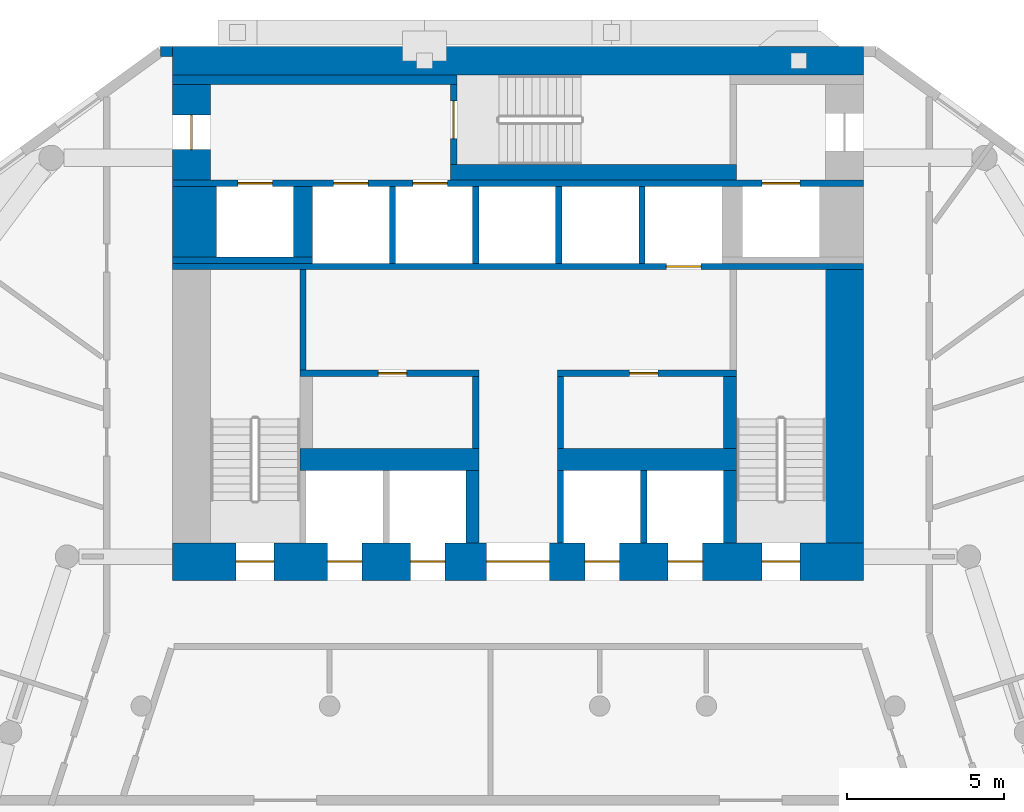
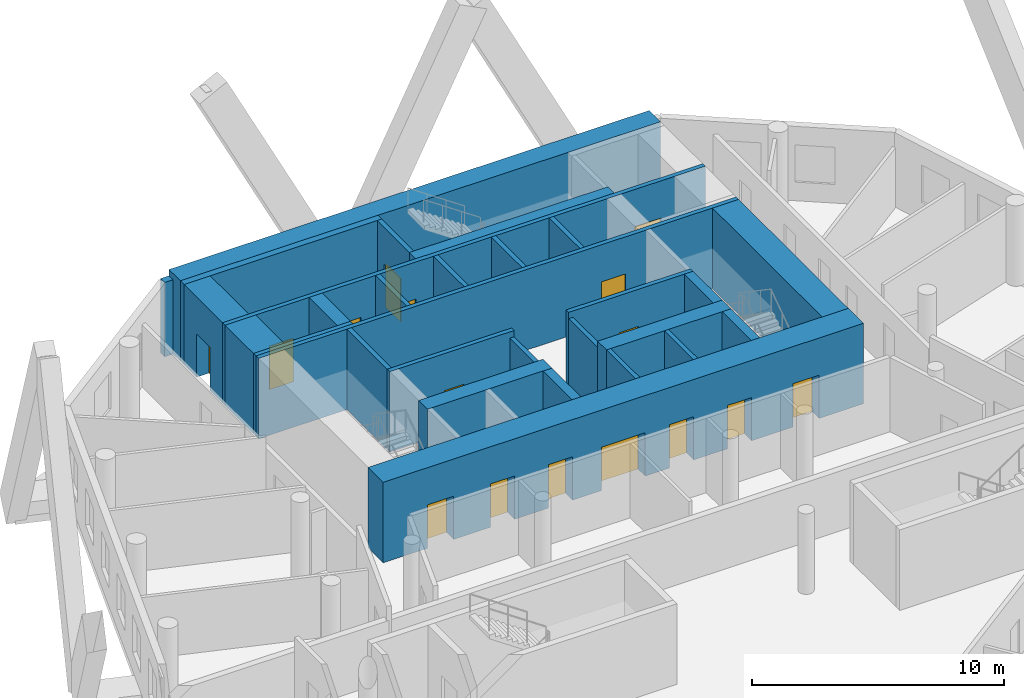
# One storey, part 6 of 10: 29 walls, 16 doors, 16 openings.
"""IFC4 building model written with IfcOpenShell, lengths in metres."""

from ifc_helpers import new_model, si_unit, direction, frame, frame_2d, origin, place, context, subcontext, project, spatial, rectangle, extrude, material, layer, layer_set, type_object, element, fill, save


model = new_model("IFC4")

# Units and contexts
model_context = context("Model", 3, precision=1e-05, world=origin(), true_north=direction((0.0, 1.0)))
body_context = subcontext(model_context, "Body", "Model", "MODEL_VIEW")
ifc_project = project(units=[si_unit("LENGTHUNIT", "METRE"), si_unit("AREAUNIT", "SQUARE_METRE"), si_unit("VOLUMEUNIT", "CUBIC_METRE"), si_unit("PLANEANGLEUNIT", "RADIAN"), si_unit("MASSUNIT", "GRAM", prefix="KILO")], contexts=[model_context])

# Site, building, storey
site_placement = place(None, origin())
site = spatial("IfcSite", under=ifc_project, at=site_placement, CompositionType="ELEMENT")
building_placement = place(site_placement, origin())
building = spatial("IfcBuilding", under=site, at=building_placement, Name="White Candle Pilgrim Tower", CompositionType="ELEMENT")
storey_placement = place(building_placement, frame((0.0, 0.0, 66.300048828125)))
storey = spatial("IfcBuildingStorey", under=building, at=storey_placement, Name="L13", CompositionType="ELEMENT", Elevation=66.300048828125)

# Wall, opening, door
ifc_material_1 = material(Name="Concrete C70/85", Category="concrete")
ifc_layer_1 = layer(ifc_material_1, 1.199951171875)
ifc_layer_set_1 = layer_set([ifc_layer_1], Name="Core wall 1200 mm Concrete C70/85")
wall_type_1 = type_object("IfcWallType", Name="Core wall 1200 mm Concrete C70/85", PredefinedType="SHEAR", material=ifc_layer_set_1)
wall_1_placement = place(storey_placement, frame((59.60009765625, 83.75, 0.0), z_axis=(0.0, 0.0, 1.0), x_axis=(0.0, 1.0, 0.0)))
wall_1 = element("IfcWall", 1, at=wall_1_placement, inside=storey, type_object=wall_type_1, Name="WL-L13-C42", PredefinedType="SHEAR", context=body_context, shape_type="SweptSolid", body=[
    extrude(rectangle(XDim=3.050048828125, YDim=1.199951171875, at=frame_2d((1.52490234375, 0.0))), origin(), (0.0, 0.0, 1.0), 3.89990234375),
])
opening_1_placement = place(wall_1_placement, frame((0.97509765625, 0.0, 0.0)))
opening_1 = element("IfcOpeningElement", 2, at=opening_1_placement, cuts=wall_1, Name="Opening T04-005", PredefinedType="OPENING", context=body_context, shape_type="SweptSolid", body=[
    extrude(rectangle(XDim=1.10009765625, YDim=2.10009765625, at=frame_2d((0.550048828125, 1.050048828125))), frame((0.0, 0.60986328125, 0.0), z_axis=(0.0, -1.0, 0.0), x_axis=(1.0, 0.0, 0.0)), (0.0, 0.0, 1.0), 1.219970703125),
])
ifc_material_2 = material(Name="Steel door leaf", Category="steel")
door_type_1 = type_object("IfcDoorType", Name="Fire door 1100 x 2100 EI 60", OperationType="NOTDEFINED", PredefinedType="DOOR", material=ifc_material_2)
door_1_placement = place(opening_1_placement, origin())
door_1 = element("IfcDoor", 3, at=door_1_placement, inside=storey, type_object=door_type_1, Name="Door T04-005", OperationType="SINGLE_SWING_LEFT", OverallHeight=2.10009765625, OverallWidth=1.10009765625, PredefinedType="DOOR", context=body_context, shape_type="SweptSolid", body=[
    extrude(rectangle(XDim=1.10009765625, YDim=2.10009765625, at=frame_2d((0.550048828125, 1.050048828125))), frame((0.0, 0.02490234375, 0.0), z_axis=(0.0, -1.0, 0.0), x_axis=(1.0, 0.0, 0.0)), (0.0, 0.0, 1.0), 0.050048828125),
])
fill(opening_1, door_1)

# Walls
ifc_layer_2 = layer(ifc_material_1, 1.39990234375)
ifc_layer_set_2 = layer_set([ifc_layer_2], Name="Core wall 1400 mm Concrete C70/85")
wall_type_2 = type_object("IfcWallType", Name="Core wall 1400 mm Concrete C70/85", PredefinedType="SHEAR", material=ifc_layer_set_2)
wall_2_placement = place(storey_placement, frame((59.699951171875, 81.300048828125, 0.0), z_axis=(0.0, 0.0, 1.0), x_axis=(0.0, 1.0, 0.0)))
element("IfcWall", 4, at=wall_2_placement, inside=storey, type_object=wall_type_2, Name="WL-L13-C37", PredefinedType="SHEAR", context=body_context, shape_type="SweptSolid", body=[
    extrude(rectangle(XDim=2.25, YDim=1.39990234375, at=frame_2d((1.125, 0.0))), origin(), (0.0, 0.0, 1.0), 3.89990234375),
])
ifc_layer_3 = layer(ifc_material_1, 0.199951171875)
ifc_layer_set_3 = layer_set([ifc_layer_3], Name="Core wall 200 mm Concrete C70/85")
wall_type_3 = type_object("IfcWallType", Name="Core wall 200 mm Concrete C70/85", PredefinedType="SHEAR", material=ifc_layer_set_3)
wall_3_placement = place(storey_placement, frame((59.0, 81.199951171875, 0.0), z_axis=(0.0, 0.0, 1.0), x_axis=(1.0, 0.0, 0.0)))
element("IfcWall", 5, at=wall_3_placement, inside=storey, type_object=wall_type_3, Name="WL-L13-C31", PredefinedType="SHEAR", context=body_context, shape_type="SweptSolid", body=[
    extrude(rectangle(XDim=4.449951171875, YDim=0.199951171875, at=frame_2d((2.22509765625, 0.0))), origin(), (0.0, 0.0, 1.0), 3.89990234375),
])

# Wall, openings, doors
wall_4_placement = place(storey_placement, frame((59.0, 83.64990234375, 0.0), z_axis=(0.0, 0.0, 1.0), x_axis=(1.0, 0.0, 0.0)))
wall_4 = element("IfcWall", 6, at=wall_4_placement, inside=storey, type_object=wall_type_3, Name="WL-L13-C41", PredefinedType="SHEAR", context=body_context, shape_type="SweptSolid", body=[
    extrude(rectangle(XDim=22.0, YDim=0.199951171875, at=frame_2d((11.0, 0.0))), origin(), (0.0, 0.0, 1.0), 3.89990234375),
])
opening_2_placement = place(wall_4_placement, frame((5.125, 0.0, 0.0)))
opening_2 = element("IfcOpeningElement", 7, at=opening_2_placement, cuts=wall_4, Name="Opening T04-011", PredefinedType="OPENING", context=body_context, shape_type="SweptSolid", body=[
    extrude(rectangle(XDim=1.10009765625, YDim=2.10009765625, at=frame_2d((0.550048828125, 1.050048828125))), frame((0.0, 0.10986328125, 0.0), z_axis=(0.0, -1.0, 0.0), x_axis=(1.0, 0.0, 0.0)), (0.0, 0.0, 1.0), 0.219970703125),
])
opening_3_placement = place(wall_4_placement, frame((7.64990234375, 0.0, 0.0)))
opening_3 = element("IfcOpeningElement", 8, at=opening_3_placement, cuts=wall_4, Name="Opening T04-012", PredefinedType="OPENING", context=body_context, shape_type="SweptSolid", body=[
    extrude(rectangle(XDim=1.10009765625, YDim=2.10009765625, at=frame_2d((0.550048828125, 1.050048828125))), frame((0.0, 0.10986328125, 0.0), z_axis=(0.0, -1.0, 0.0), x_axis=(1.0, 0.0, 0.0)), (0.0, 0.0, 1.0), 0.219970703125),
])
opening_4_placement = place(wall_4_placement, frame((18.77490234375, 0.0, 0.0)))
opening_4 = element("IfcOpeningElement", 9, at=opening_4_placement, cuts=wall_4, Name="Opening T04-018", PredefinedType="OPENING", context=body_context, shape_type="SweptSolid", body=[
    extrude(rectangle(XDim=1.199951171875, YDim=2.10009765625, at=frame_2d((0.60009765625, 1.050048828125))), frame((0.0, 0.10986328125, 0.0), z_axis=(0.0, -1.0, 0.0), x_axis=(1.0, 0.0, 0.0)), (0.0, 0.0, 1.0), 0.219970703125),
])
opening_5_placement = place(wall_4_placement, frame((2.074951171875, 0.0, 0.0)))
opening_5 = element("IfcOpeningElement", 10, at=opening_5_placement, cuts=wall_4, Name="Opening T04-019", PredefinedType="OPENING", context=body_context, shape_type="SweptSolid", body=[
    extrude(rectangle(XDim=1.10009765625, YDim=2.10009765625, at=frame_2d((0.550048828125, 1.050048828125))), frame((0.0, 0.10986328125, 0.0), z_axis=(0.0, -1.0, 0.0), x_axis=(1.0, 0.0, 0.0)), (0.0, 0.0, 1.0), 0.219970703125),
])
ifc_material_3 = material(Name="Stainless steel", Category="steel")
door_type_2 = type_object("IfcDoorType", Name="Lift landing door 1100 x 2100 EI 60", OperationType="DOUBLE_DOOR_SLIDING", PredefinedType="DOOR", material=ifc_material_3)
door_2_placement = place(opening_2_placement, origin())
door_2 = element("IfcDoor", 11, at=door_2_placement, inside=storey, type_object=door_type_2, Name="Door T04-011", OperationType="DOUBLE_DOOR_SLIDING", OverallHeight=2.10009765625, OverallWidth=1.10009765625, PredefinedType="DOOR", context=body_context, shape_type="SweptSolid", body=[
    extrude(rectangle(XDim=1.10009765625, YDim=2.10009765625, at=frame_2d((0.550048828125, 1.050048828125))), frame((0.0, 0.02490234375, 0.0), z_axis=(0.0, -1.0, 0.0), x_axis=(1.0, 0.0, 0.0)), (0.0, 0.0, 1.0), 0.050048828125),
])
fill(opening_2, door_2)
door_3_placement = place(opening_3_placement, origin())
door_3 = element("IfcDoor", 12, at=door_3_placement, inside=storey, type_object=door_type_2, Name="Door T04-012", OperationType="DOUBLE_DOOR_SLIDING", OverallHeight=2.10009765625, OverallWidth=1.10009765625, PredefinedType="DOOR", context=body_context, shape_type="SweptSolid", body=[
    extrude(rectangle(XDim=1.10009765625, YDim=2.10009765625, at=frame_2d((0.550048828125, 1.050048828125))), frame((0.0, 0.02490234375, 0.0), z_axis=(0.0, -1.0, 0.0), x_axis=(1.0, 0.0, 0.0)), (0.0, 0.0, 1.0), 0.050048828125),
])
fill(opening_3, door_3)
door_4_placement = place(opening_5_placement, origin())
door_4 = element("IfcDoor", 13, at=door_4_placement, inside=storey, type_object=door_type_2, Name="Door T04-019", OperationType="DOUBLE_DOOR_SLIDING", OverallHeight=2.10009765625, OverallWidth=1.10009765625, PredefinedType="DOOR", context=body_context, shape_type="SweptSolid", body=[
    extrude(rectangle(XDim=1.10009765625, YDim=2.10009765625, at=frame_2d((0.550048828125, 1.050048828125))), frame((0.0, 0.02490234375, 0.0), z_axis=(0.0, -1.0, 0.0), x_axis=(1.0, 0.0, 0.0)), (0.0, 0.0, 1.0), 0.050048828125),
])
fill(opening_5, door_4)
door_type_3 = type_object("IfcDoorType", Name="Lift landing door 1200 x 2100 E 60", OperationType="DOUBLE_DOOR_SLIDING", PredefinedType="DOOR", material=ifc_material_3)
door_5_placement = place(opening_4_placement, origin())
door_5 = element("IfcDoor", 14, at=door_5_placement, inside=storey, type_object=door_type_3, Name="Door T04-018", OperationType="DOUBLE_DOOR_SLIDING", OverallHeight=2.10009765625, OverallWidth=1.199951171875, PredefinedType="DOOR", context=body_context, shape_type="SweptSolid", body=[
    extrude(rectangle(XDim=1.199951171875, YDim=2.10009765625, at=frame_2d((0.60009765625, 1.050048828125))), frame((0.0, 0.02490234375, 0.0), z_axis=(0.0, -1.0, 0.0), x_axis=(1.0, 0.0, 0.0)), (0.0, 0.0, 1.0), 0.050048828125),
])
fill(opening_4, door_5)

# Walls
ifc_material_4 = material(Name="Precast concrete C40/50", Category="concrete")
ifc_layer_4 = layer(ifc_material_4, 0.320068359375)
ifc_layer_set_4 = layer_set([ifc_layer_4], Name="Facade wall EW1 precast concrete C40/50 pier wall with timber-lined reveals")
wall_type_4 = type_object("IfcWallType", Name="Facade wall EW1 precast concrete C40/50 pier wall with timber-lined reveals", PredefinedType="SOLIDWALL", material=ifc_layer_set_4)
wall_5_placement = place(storey_placement, frame((59.0, 87.840087890625, 0.0), z_axis=(0.0, 0.0, 1.0), x_axis=(-1.0, 0.0, 0.0)))
element("IfcWall", 15, at=wall_5_placement, inside=storey, type_object=wall_type_4, Name="Facade wall L13 N", PredefinedType="SOLIDWALL", context=body_context, shape_type="SweptSolid", body=[
    extrude(rectangle(XDim=0.385009765625, YDim=0.320068359375, at=frame_2d((0.1923828125, 0.0))), origin(), (0.0, 0.0, 1.0), 3.599853515625),
])
ifc_material_5 = material(Name="Gypsum board on steel studs", Category="steel")
ifc_layer_5 = layer(ifc_material_5, 0.199951171875)
ifc_layer_set_5 = layer_set([ifc_layer_5], Name="Lobby wall 200 mm EI 60")
wall_type_5 = type_object("IfcWallType", Name="Lobby wall 200 mm EI 60", PredefinedType="PARTITIONING", material=ifc_layer_set_5)
for number, where, z_axis, x_axis, name in (
    (16, (68.64990234375, 75.199951171875, 0.0), (0.0, 0.0, 1.0), (0.0, 1.0, 0.0), "WL-L13-C23"),
    (17, (71.35009765625, 75.199951171875, 0.0), (0.0, 0.0, 1.0), (0.0, 1.0, 0.0), "WL-L13-C24"),
):
    element("IfcWall", number, at=place(storey_placement, frame(where, z_axis=z_axis, x_axis=x_axis)), inside=storey, type_object=wall_type_5, Name=name, PredefinedType="PARTITIONING", context=body_context, shape_type="SweptSolid", body=[
        extrude(rectangle(XDim=2.300048828125, YDim=0.199951171875, at=frame_2d((1.14990234375, 0.0))), origin(), (0.0, 0.0, 1.0), 3.599853515625),
    ])
ifc_layer_6 = layer(ifc_material_1, 0.199951171875)
ifc_layer_set_6 = layer_set([ifc_layer_6], Name="Shaft wall 200 mm Concrete C70/85")
wall_type_6 = type_object("IfcWallType", Name="Shaft wall 200 mm Concrete C70/85", PredefinedType="SHEAR", material=ifc_layer_set_6)
for number, where, z_axis, x_axis, name in (
    (18, (71.35009765625, 72.199951171875, 0.0), (0.0, 0.0, 1.0), (0.0, 1.0, 0.0), "WL-L13-C16"),
    (19, (74.0, 72.199951171875, 0.0), (0.0, 0.0, 1.0), (0.0, 1.0, 0.0), "WL-L13-C17"),
):
    element("IfcWall", number, at=place(storey_placement, frame(where, z_axis=z_axis, x_axis=x_axis)), inside=storey, type_object=wall_type_6, Name=name, PredefinedType="SHEAR", context=body_context, shape_type="SweptSolid", body=[
        extrude(rectangle(XDim=2.300048828125, YDim=0.199951171875, at=frame_2d((1.14990234375, 0.0))), origin(), (0.0, 0.0, 1.0), 3.89990234375),
    ])
for number, where, z_axis, x_axis, name in (
    (20, (66.0, 81.10009765625, 0.0), (0.0, 0.0, 1.0), (0.0, 1.0, 0.0), "WL-L13-C32"),
    (21, (68.64990234375, 81.10009765625, 0.0), (0.0, 0.0, 1.0), (0.0, 1.0, 0.0), "WL-L13-C33"),
    (22, (71.300048828125, 81.10009765625, 0.0), (0.0, 0.0, 1.0), (0.0, 1.0, 0.0), "WL-L13-C34"),
    (23, (73.949951171875, 81.10009765625, 0.0), (0.0, 0.0, 1.0), (0.0, 1.0, 0.0), "WL-L13-C35"),
):
    element("IfcWall", number, at=place(storey_placement, frame(where, z_axis=z_axis, x_axis=x_axis)), inside=storey, type_object=wall_type_6, Name=name, PredefinedType="SHEAR", context=body_context, shape_type="SweptSolid", body=[
        extrude(rectangle(XDim=2.449951171875, YDim=0.199951171875, at=frame_2d((1.22509765625, 0.0))), origin(), (0.0, 0.0, 1.0), 3.89990234375),
    ])
ifc_layer_7 = layer(ifc_material_1, 0.39990234375)
ifc_layer_set_7 = layer_set([ifc_layer_7], Name="Shaft wall 400 mm Concrete C70/85")
wall_type_7 = type_object("IfcWallType", Name="Shaft wall 400 mm Concrete C70/85", PredefinedType="SHEAR", material=ifc_layer_set_7)
wall_6_placement = place(storey_placement, frame((68.550048828125, 72.199951171875, 0.0), z_axis=(0.0, 0.0, 1.0), x_axis=(0.0, 1.0, 0.0)))
element("IfcWall", 24, at=wall_6_placement, inside=storey, type_object=wall_type_7, Name="WL-L13-C15", PredefinedType="SHEAR", context=body_context, shape_type="SweptSolid", body=[
    extrude(rectangle(XDim=2.300048828125, YDim=0.39990234375, at=frame_2d((1.14990234375, 0.0))), origin(), (0.0, 0.0, 1.0), 3.89990234375),
])
ifc_layer_8 = layer(ifc_material_1, 0.60009765625)
ifc_layer_set_8 = layer_set([ifc_layer_8], Name="Shaft wall 600 mm Concrete C70/85")
wall_type_8 = type_object("IfcWallType", Name="Shaft wall 600 mm Concrete C70/85", PredefinedType="SHEAR", material=ifc_layer_set_8)
wall_7_placement = place(storey_placement, frame((63.14990234375, 81.300048828125, 0.0), z_axis=(0.0, 0.0, 1.0), x_axis=(0.0, 1.0, 0.0)))
element("IfcWall", 25, at=wall_7_placement, inside=storey, type_object=wall_type_8, Name="WL-L13-C38", PredefinedType="SHEAR", context=body_context, shape_type="SweptSolid", body=[
    extrude(rectangle(XDim=2.25, YDim=0.60009765625, at=frame_2d((1.125, 0.0))), origin(), (0.0, 0.0, 1.0), 3.89990234375),
])

# Wall, openings, doors
ifc_layer_9 = layer(ifc_material_1, 1.199951171875)
ifc_layer_set_9 = layer_set([ifc_layer_9], Name="Stair shaft wall 1200 mm Concrete C70/85")
wall_type_9 = type_object("IfcWallType", Name="Stair shaft wall 1200 mm Concrete C70/85", PredefinedType="SHEAR", material=ifc_layer_set_9)
wall_8_placement = place(storey_placement, frame((59.0, 71.60009765625, 0.0), z_axis=(0.0, 0.0, 1.0), x_axis=(1.0, 0.0, 0.0)))
wall_8 = element("IfcWall", 26, at=wall_8_placement, inside=storey, type_object=wall_type_9, Name="WL-L13-C11", PredefinedType="SHEAR", context=body_context, shape_type="SweptSolid", body=[
    extrude(rectangle(XDim=22.0, YDim=1.199951171875, at=frame_2d((11.0, 0.0))), origin(), (0.0, 0.0, 1.0), 3.89990234375),
])
opening_6_placement = place(wall_8_placement, frame((2.02490234375, 0.0, 0.0)))
opening_6 = element("IfcOpeningElement", 27, at=opening_6_placement, cuts=wall_8, Name="Opening T04-001", PredefinedType="OPENING", context=body_context, shape_type="SweptSolid", body=[
    extrude(rectangle(XDim=1.199951171875, YDim=2.10009765625, at=frame_2d((0.60009765625, 1.050048828125))), frame((0.0, 0.60986328125, 0.0), z_axis=(0.0, -1.0, 0.0), x_axis=(1.0, 0.0, 0.0)), (0.0, 0.0, 1.0), 1.219970703125),
])
opening_7_placement = place(wall_8_placement, frame((18.77490234375, 0.0, 0.0)))
opening_7 = element("IfcOpeningElement", 28, at=opening_7_placement, cuts=wall_8, Name="Opening T04-002", PredefinedType="OPENING", context=body_context, shape_type="SweptSolid", body=[
    extrude(rectangle(XDim=1.199951171875, YDim=2.10009765625, at=frame_2d((0.60009765625, 1.050048828125))), frame((0.0, 0.60986328125, 0.0), z_axis=(0.0, -1.0, 0.0), x_axis=(1.0, 0.0, 0.0)), (0.0, 0.0, 1.0), 1.219970703125),
])
opening_8_placement = place(wall_8_placement, frame((10.0, 0.0, 0.0)))
opening_8 = element("IfcOpeningElement", 29, at=opening_8_placement, cuts=wall_8, Name="Opening T04-004", PredefinedType="OPENING", context=body_context, shape_type="SweptSolid", body=[
    extrude(rectangle(XDim=2.0, YDim=2.10009765625, at=frame_2d((1.0, 1.050048828125))), frame((0.0, 0.60986328125, 0.0), z_axis=(0.0, -1.0, 0.0), x_axis=(1.0, 0.0, 0.0)), (0.0, 0.0, 1.0), 1.219970703125),
])
opening_9_placement = place(wall_8_placement, frame((4.925048828125, 0.0, 0.0)))
opening_9 = element("IfcOpeningElement", 30, at=opening_9_placement, cuts=wall_8, Name="Opening T04-014", PredefinedType="OPENING", context=body_context, shape_type="SweptSolid", body=[
    extrude(rectangle(XDim=1.10009765625, YDim=2.10009765625, at=frame_2d((0.550048828125, 1.050048828125))), frame((0.0, 0.60986328125, 0.0), z_axis=(0.0, -1.0, 0.0), x_axis=(1.0, 0.0, 0.0)), (0.0, 0.0, 1.0), 1.219970703125),
])
opening_10_placement = place(wall_8_placement, frame((7.574951171875, 0.0, 0.0)))
opening_10 = element("IfcOpeningElement", 31, at=opening_10_placement, cuts=wall_8, Name="Opening T04-015", PredefinedType="OPENING", context=body_context, shape_type="SweptSolid", body=[
    extrude(rectangle(XDim=1.10009765625, YDim=2.10009765625, at=frame_2d((0.550048828125, 1.050048828125))), frame((0.0, 0.60986328125, 0.0), z_axis=(0.0, -1.0, 0.0), x_axis=(1.0, 0.0, 0.0)), (0.0, 0.0, 1.0), 1.219970703125),
])
opening_11_placement = place(wall_8_placement, frame((13.125, 0.0, 0.0)))
opening_11 = element("IfcOpeningElement", 32, at=opening_11_placement, cuts=wall_8, Name="Opening T04-016", PredefinedType="OPENING", context=body_context, shape_type="SweptSolid", body=[
    extrude(rectangle(XDim=1.10009765625, YDim=2.10009765625, at=frame_2d((0.550048828125, 1.050048828125))), frame((0.0, 0.60986328125, 0.0), z_axis=(0.0, -1.0, 0.0), x_axis=(1.0, 0.0, 0.0)), (0.0, 0.0, 1.0), 1.219970703125),
])
opening_12_placement = place(wall_8_placement, frame((15.77490234375, 0.0, 0.0)))
opening_12 = element("IfcOpeningElement", 33, at=opening_12_placement, cuts=wall_8, Name="Opening T04-017", PredefinedType="OPENING", context=body_context, shape_type="SweptSolid", body=[
    extrude(rectangle(XDim=1.10009765625, YDim=2.10009765625, at=frame_2d((0.550048828125, 1.050048828125))), frame((0.0, 0.60986328125, 0.0), z_axis=(0.0, -1.0, 0.0), x_axis=(1.0, 0.0, 0.0)), (0.0, 0.0, 1.0), 1.219970703125),
])
door_type_4 = type_object("IfcDoorType", Name="Fire door 1200 x 2100 EI 60", OperationType="NOTDEFINED", PredefinedType="DOOR", material=ifc_material_2)
door_6_placement = place(opening_6_placement, frame((1.199951171875, 0.0, 0.0), z_axis=(0.0, 0.0, 1.0), x_axis=(-1.0, 0.0, 0.0)))
door_6 = element("IfcDoor", 34, at=door_6_placement, inside=storey, type_object=door_type_4, Name="Door T04-001", OperationType="SINGLE_SWING_RIGHT", OverallHeight=2.10009765625, OverallWidth=1.199951171875, PredefinedType="DOOR", context=body_context, shape_type="SweptSolid", body=[
    extrude(rectangle(XDim=1.199951171875, YDim=2.10009765625, at=frame_2d((0.60009765625, 1.050048828125))), frame((0.0, 0.02490234375, 0.0), z_axis=(0.0, -1.0, 0.0), x_axis=(1.0, 0.0, 0.0)), (0.0, 0.0, 1.0), 0.050048828125),
])
fill(opening_6, door_6)
door_7_placement = place(opening_7_placement, frame((1.199951171875, 0.0, 0.0), z_axis=(0.0, 0.0, 1.0), x_axis=(-1.0, 0.0, 0.0)))
door_7 = element("IfcDoor", 35, at=door_7_placement, inside=storey, type_object=door_type_4, Name="Door T04-002", OperationType="SINGLE_SWING_LEFT", OverallHeight=2.10009765625, OverallWidth=1.199951171875, PredefinedType="DOOR", context=body_context, shape_type="SweptSolid", body=[
    extrude(rectangle(XDim=1.199951171875, YDim=2.10009765625, at=frame_2d((0.60009765625, 1.050048828125))), frame((0.0, 0.02490234375, 0.0), z_axis=(0.0, -1.0, 0.0), x_axis=(1.0, 0.0, 0.0)), (0.0, 0.0, 1.0), 0.050048828125),
])
fill(opening_7, door_7)
door_type_5 = type_object("IfcDoorType", Name="Fire door 2000 x 2100 EI 60", OperationType="NOTDEFINED", PredefinedType="DOOR", material=ifc_material_2)
door_8_placement = place(opening_8_placement, frame((2.0, 0.0, 0.0), z_axis=(0.0, 0.0, 1.0), x_axis=(-1.0, 0.0, 0.0)))
door_8 = element("IfcDoor", 36, at=door_8_placement, inside=storey, type_object=door_type_5, Name="Door T04-004", OperationType="DOUBLE_DOOR_SINGLE_SWING", OverallHeight=2.10009765625, OverallWidth=2.0, PredefinedType="DOOR", context=body_context, shape_type="SweptSolid", body=[
    extrude(rectangle(XDim=2.0, YDim=2.10009765625, at=frame_2d((1.0, 1.050048828125))), frame((0.0, 0.02490234375, 0.0), z_axis=(0.0, -1.0, 0.0), x_axis=(1.0, 0.0, 0.0)), (0.0, 0.0, 1.0), 0.050048828125),
])
fill(opening_8, door_8)
door_type_6 = type_object("IfcDoorType", Name="Lift landing door 1100 x 2100 E 60", OperationType="DOUBLE_DOOR_SLIDING", PredefinedType="DOOR", material=ifc_material_3)
door_9_placement = place(opening_9_placement, origin())
door_9 = element("IfcDoor", 37, at=door_9_placement, inside=storey, type_object=door_type_6, Name="Door T04-014", OperationType="DOUBLE_DOOR_SLIDING", OverallHeight=2.10009765625, OverallWidth=1.10009765625, PredefinedType="DOOR", context=body_context, shape_type="SweptSolid", body=[
    extrude(rectangle(XDim=1.10009765625, YDim=2.10009765625, at=frame_2d((0.550048828125, 1.050048828125))), frame((0.0, 0.02490234375, 0.0), z_axis=(0.0, -1.0, 0.0), x_axis=(1.0, 0.0, 0.0)), (0.0, 0.0, 1.0), 0.050048828125),
])
fill(opening_9, door_9)
door_10_placement = place(opening_10_placement, origin())
door_10 = element("IfcDoor", 38, at=door_10_placement, inside=storey, type_object=door_type_6, Name="Door T04-015", OperationType="DOUBLE_DOOR_SLIDING", OverallHeight=2.10009765625, OverallWidth=1.10009765625, PredefinedType="DOOR", context=body_context, shape_type="SweptSolid", body=[
    extrude(rectangle(XDim=1.10009765625, YDim=2.10009765625, at=frame_2d((0.550048828125, 1.050048828125))), frame((0.0, 0.02490234375, 0.0), z_axis=(0.0, -1.0, 0.0), x_axis=(1.0, 0.0, 0.0)), (0.0, 0.0, 1.0), 0.050048828125),
])
fill(opening_10, door_10)
door_11_placement = place(opening_11_placement, origin())
door_11 = element("IfcDoor", 39, at=door_11_placement, inside=storey, type_object=door_type_6, Name="Door T04-016", OperationType="DOUBLE_DOOR_SLIDING", OverallHeight=2.10009765625, OverallWidth=1.10009765625, PredefinedType="DOOR", context=body_context, shape_type="SweptSolid", body=[
    extrude(rectangle(XDim=1.10009765625, YDim=2.10009765625, at=frame_2d((0.550048828125, 1.050048828125))), frame((0.0, 0.02490234375, 0.0), z_axis=(0.0, -1.0, 0.0), x_axis=(1.0, 0.0, 0.0)), (0.0, 0.0, 1.0), 0.050048828125),
])
fill(opening_11, door_11)
door_12_placement = place(opening_12_placement, origin())
door_12 = element("IfcDoor", 40, at=door_12_placement, inside=storey, type_object=door_type_6, Name="Door T04-017", OperationType="DOUBLE_DOOR_SLIDING", OverallHeight=2.10009765625, OverallWidth=1.10009765625, PredefinedType="DOOR", context=body_context, shape_type="SweptSolid", body=[
    extrude(rectangle(XDim=1.10009765625, YDim=2.10009765625, at=frame_2d((0.550048828125, 1.050048828125))), frame((0.0, 0.02490234375, 0.0), z_axis=(0.0, -1.0, 0.0), x_axis=(1.0, 0.0, 0.0)), (0.0, 0.0, 1.0), 0.050048828125),
])
fill(opening_12, door_12)

# Wall
wall_9_placement = place(storey_placement, frame((80.39990234375, 72.199951171875, 0.0), z_axis=(0.0, 0.0, 1.0), x_axis=(0.0, 1.0, 0.0)))
element("IfcWall", 41, at=wall_9_placement, inside=storey, type_object=wall_type_9, Name="WL-L13-C19", PredefinedType="SHEAR", context=body_context, shape_type="SweptSolid", body=[
    extrude(rectangle(XDim=8.699951171875, YDim=1.199951171875, at=frame_2d((4.35009765625, 0.0))), origin(), (0.0, 0.0, 1.0), 3.89990234375),
])

# Wall, opening, door
ifc_layer_10 = layer(ifc_material_1, 0.199951171875)
ifc_layer_set_10 = layer_set([ifc_layer_10], Name="Stair shaft wall 200 mm Concrete C70/85")
wall_type_10 = type_object("IfcWallType", Name="Stair shaft wall 200 mm Concrete C70/85", PredefinedType="SHEAR", material=ifc_layer_set_10)
wall_10_placement = place(storey_placement, frame((63.050048828125, 77.60009765625, 0.0), z_axis=(0.0, 0.0, 1.0), x_axis=(1.0, 0.0, 0.0)))
wall_10 = element("IfcWall", 42, at=wall_10_placement, inside=storey, type_object=wall_type_10, Name="WL-L13-C26", PredefinedType="SHEAR", context=body_context, shape_type="SweptSolid", body=[
    extrude(rectangle(XDim=5.699951171875, YDim=0.199951171875, at=frame_2d((2.85009765625, 0.0))), origin(), (0.0, 0.0, 1.0), 3.89990234375),
])
opening_13_placement = place(wall_10_placement, frame((2.5, 0.0, 0.0)))
opening_13 = element("IfcOpeningElement", 43, at=opening_13_placement, cuts=wall_10, Name="Opening T04-020", PredefinedType="OPENING", context=body_context, shape_type="SweptSolid", body=[
    extrude(rectangle(XDim=0.89990234375, YDim=2.10009765625, at=frame_2d((0.449951171875, 1.050048828125))), frame((0.0, 0.10986328125, 0.0), z_axis=(0.0, -1.0, 0.0), x_axis=(1.0, 0.0, 0.0)), (0.0, 0.0, 1.0), 0.219970703125),
])
door_type_7 = type_object("IfcDoorType", Name="Fire door 900 x 2100 EI 30", OperationType="NOTDEFINED", PredefinedType="DOOR", material=ifc_material_2)
door_13_placement = place(opening_13_placement, origin())
door_13 = element("IfcDoor", 44, at=door_13_placement, inside=storey, type_object=door_type_7, Name="Door T04-020", OperationType="SINGLE_SWING_RIGHT", OverallHeight=2.10009765625, OverallWidth=0.89990234375, PredefinedType="DOOR", context=body_context, shape_type="SweptSolid", body=[
    extrude(rectangle(XDim=0.89990234375, YDim=2.10009765625, at=frame_2d((0.449951171875, 1.050048828125))), frame((0.0, 0.02490234375, 0.0), z_axis=(0.0, -1.0, 0.0), x_axis=(1.0, 0.0, 0.0)), (0.0, 0.0, 1.0), 0.050048828125),
])
fill(opening_13, door_13)

wall_11_placement = place(storey_placement, frame((71.25, 77.60009765625, 0.0), z_axis=(0.0, 0.0, 1.0), x_axis=(1.0, 0.0, 0.0)))
wall_11 = element("IfcWall", 45, at=wall_11_placement, inside=storey, type_object=wall_type_10, Name="WL-L13-C27", PredefinedType="SHEAR", context=body_context, shape_type="SweptSolid", body=[
    extrude(rectangle(XDim=5.699951171875, YDim=0.199951171875, at=frame_2d((2.85009765625, 0.0))), origin(), (0.0, 0.0, 1.0), 3.89990234375),
])
opening_14_placement = place(wall_11_placement, frame((2.300048828125, 0.0, 0.0)))
opening_14 = element("IfcOpeningElement", 46, at=opening_14_placement, cuts=wall_11, Name="Opening T04-021", PredefinedType="OPENING", context=body_context, shape_type="SweptSolid", body=[
    extrude(rectangle(XDim=0.89990234375, YDim=2.10009765625, at=frame_2d((0.449951171875, 1.050048828125))), frame((0.0, 0.10986328125, 0.0), z_axis=(0.0, -1.0, 0.0), x_axis=(1.0, 0.0, 0.0)), (0.0, 0.0, 1.0), 0.219970703125),
])
door_14_placement = place(opening_14_placement, origin())
door_14 = element("IfcDoor", 47, at=door_14_placement, inside=storey, type_object=door_type_7, Name="Door T04-021", OperationType="SINGLE_SWING_LEFT", OverallHeight=2.10009765625, OverallWidth=0.89990234375, PredefinedType="DOOR", context=body_context, shape_type="SweptSolid", body=[
    extrude(rectangle(XDim=0.89990234375, YDim=2.10009765625, at=frame_2d((0.449951171875, 1.050048828125))), frame((0.0, 0.02490234375, 0.0), z_axis=(0.0, -1.0, 0.0), x_axis=(1.0, 0.0, 0.0)), (0.0, 0.0, 1.0), 0.050048828125),
])
fill(opening_14, door_14)

# Wall
wall_12_placement = place(storey_placement, frame((63.14990234375, 77.699951171875, 0.0), z_axis=(0.0, 0.0, 1.0), x_axis=(0.0, 1.0, 0.0)))
element("IfcWall", 48, at=wall_12_placement, inside=storey, type_object=wall_type_10, Name="WL-L13-C28", PredefinedType="SHEAR", context=body_context, shape_type="SweptSolid", body=[
    extrude(rectangle(XDim=3.199951171875, YDim=0.199951171875, at=frame_2d((1.60009765625, 0.0))), origin(), (0.0, 0.0, 1.0), 3.89990234375),
])

# Wall, opening, door
wall_13_placement = place(storey_placement, frame((59.0, 81.0, 0.0), z_axis=(0.0, 0.0, 1.0), x_axis=(1.0, 0.0, 0.0)))
wall_13 = element("IfcWall", 49, at=wall_13_placement, inside=storey, type_object=wall_type_10, Name="WL-L13-C30", PredefinedType="SHEAR", context=body_context, shape_type="SweptSolid", body=[
    extrude(rectangle(XDim=22.0, YDim=0.199951171875, at=frame_2d((11.0, 0.0))), origin(), (0.0, 0.0, 1.0), 3.89990234375),
])
opening_15_placement = place(wall_13_placement, frame((15.72509765625, 0.0, 0.0)))
opening_15 = element("IfcOpeningElement", 50, at=opening_15_placement, cuts=wall_13, Name="Opening T04-013", PredefinedType="OPENING", context=body_context, shape_type="SweptSolid", body=[
    extrude(rectangle(XDim=1.10009765625, YDim=2.10009765625, at=frame_2d((0.550048828125, 1.050048828125))), frame((0.0, 0.10986328125, 0.0), z_axis=(0.0, -1.0, 0.0), x_axis=(1.0, 0.0, 0.0)), (0.0, 0.0, 1.0), 0.219970703125),
])
door_15_placement = place(opening_15_placement, origin())
door_15 = element("IfcDoor", 51, at=door_15_placement, inside=storey, type_object=door_type_6, Name="Door T04-013", OperationType="DOUBLE_DOOR_SLIDING", OverallHeight=2.10009765625, OverallWidth=1.10009765625, PredefinedType="DOOR", context=body_context, shape_type="SweptSolid", body=[
    extrude(rectangle(XDim=1.10009765625, YDim=2.10009765625, at=frame_2d((0.550048828125, 1.050048828125))), frame((0.0, 0.02490234375, 0.0), z_axis=(0.0, -1.0, 0.0), x_axis=(1.0, 0.0, 0.0)), (0.0, 0.0, 1.0), 0.050048828125),
])
fill(opening_15, door_15)

wall_14_placement = place(storey_placement, frame((67.949951171875, 84.25, 0.0), z_axis=(0.0, 0.0, 1.0), x_axis=(0.0, 1.0, 0.0)))
wall_14 = element("IfcWall", 52, at=wall_14_placement, inside=storey, type_object=wall_type_10, Name="WL-L13-C45", PredefinedType="SHEAR", context=body_context, shape_type="SweptSolid", body=[
    extrude(rectangle(XDim=2.550048828125, YDim=0.199951171875, at=frame_2d((1.27490234375, 0.0))), origin(), (0.0, 0.0, 1.0), 3.89990234375),
])
opening_16_placement = place(wall_14_placement, frame((0.824951171875, 0.0, 0.0)))
opening_16 = element("IfcOpeningElement", 53, at=opening_16_placement, cuts=wall_14, Name="Opening T04-003", PredefinedType="OPENING", context=body_context, shape_type="SweptSolid", body=[
    extrude(rectangle(XDim=1.199951171875, YDim=2.10009765625, at=frame_2d((0.60009765625, 1.050048828125))), frame((0.0, 0.10986328125, 0.0), z_axis=(0.0, -1.0, 0.0), x_axis=(1.0, 0.0, 0.0)), (0.0, 0.0, 1.0), 0.219970703125),
])
door_16_placement = place(opening_16_placement, frame((1.199951171875, 0.0, 0.0), z_axis=(0.0, 0.0, 1.0), x_axis=(-1.0, 0.0, 0.0)))
door_16 = element("IfcDoor", 54, at=door_16_placement, inside=storey, type_object=door_type_4, Name="Door T04-003", OperationType="SINGLE_SWING_RIGHT", OverallHeight=2.10009765625, OverallWidth=1.199951171875, PredefinedType="DOOR", context=body_context, shape_type="SweptSolid", body=[
    extrude(rectangle(XDim=1.199951171875, YDim=2.10009765625, at=frame_2d((0.60009765625, 1.050048828125))), frame((0.0, 0.02490234375, 0.0), z_axis=(0.0, -1.0, 0.0), x_axis=(1.0, 0.0, 0.0)), (0.0, 0.0, 1.0), 0.050048828125),
])
fill(opening_16, door_16)

# Walls
ifc_layer_11 = layer(ifc_material_1, 0.300048828125)
ifc_layer_set_11 = layer_set([ifc_layer_11], Name="Stair shaft wall 300 mm Concrete C70/85")
wall_type_11 = type_object("IfcWallType", Name="Stair shaft wall 300 mm Concrete C70/85", PredefinedType="SHEAR", material=ifc_layer_set_11)
wall_15_placement = place(storey_placement, frame((59.0, 86.949951171875, 0.0), z_axis=(0.0, 0.0, 1.0), x_axis=(1.0, 0.0, 0.0)))
element("IfcWall", 55, at=wall_15_placement, inside=storey, type_object=wall_type_11, Name="WL-L13-C47", PredefinedType="SHEAR", context=body_context, shape_type="SweptSolid", body=[
    extrude(rectangle(XDim=9.050048828125, YDim=0.300048828125, at=frame_2d((4.52490234375, 0.0))), origin(), (0.0, 0.0, 1.0), 3.89990234375),
])
ifc_layer_12 = layer(ifc_material_1, 0.39990234375)
ifc_layer_set_12 = layer_set([ifc_layer_12], Name="Stair shaft wall 400 mm Concrete C70/85")
wall_type_12 = type_object("IfcWallType", Name="Stair shaft wall 400 mm Concrete C70/85", PredefinedType="SHEAR", material=ifc_layer_set_12)
for number, where, z_axis, x_axis, name in (
    (56, (76.75, 72.199951171875, 0.0), (0.0, 0.0, 1.0), (0.0, 1.0, 0.0), "WL-L13-C18"),
    (57, (76.75, 75.199951171875, 0.0), (0.0, 0.0, 1.0), (0.0, 1.0, 0.0), "WL-L13-C25"),
):
    element("IfcWall", number, at=place(storey_placement, frame(where, z_axis=z_axis, x_axis=x_axis)), inside=storey, type_object=wall_type_12, Name=name, PredefinedType="SHEAR", context=body_context, shape_type="SweptSolid", body=[
        extrude(rectangle(XDim=2.300048828125, YDim=0.39990234375, at=frame_2d((1.14990234375, 0.0))), origin(), (0.0, 0.0, 1.0), 3.89990234375),
    ])
ifc_layer_13 = layer(ifc_material_1, 0.5)
ifc_layer_set_13 = layer_set([ifc_layer_13], Name="Stair shaft wall 500 mm Concrete C70/85")
wall_type_13 = type_object("IfcWallType", Name="Stair shaft wall 500 mm Concrete C70/85", PredefinedType="SHEAR", material=ifc_layer_set_13)
wall_16_placement = place(storey_placement, frame((67.85009765625, 84.0, 0.0), z_axis=(0.0, 0.0, 1.0), x_axis=(1.0, 0.0, 0.0)))
element("IfcWall", 58, at=wall_16_placement, inside=storey, type_object=wall_type_13, Name="WL-L13-C43", PredefinedType="SHEAR", context=body_context, shape_type="SweptSolid", body=[
    extrude(rectangle(XDim=9.099853515625, YDim=0.5, at=frame_2d((4.5498046875, 0.0))), origin(), (0.0, 0.0, 1.0), 3.89990234375),
])
ifc_layer_14 = layer(ifc_material_1, 0.699951171875)
ifc_layer_set_14 = layer_set([ifc_layer_14], Name="Stair shaft wall 700 mm Concrete C70/85")
wall_type_14 = type_object("IfcWallType", Name="Stair shaft wall 700 mm Concrete C70/85", PredefinedType="SHEAR", material=ifc_layer_set_14)
for number, where, z_axis, x_axis, name in (
    (59, (63.050048828125, 74.85009765625, 0.0), (0.0, 0.0, 1.0), (1.0, 0.0, 0.0), "WL-L13-C20"),
    (60, (71.25, 74.85009765625, 0.0), (0.0, 0.0, 1.0), (1.0, 0.0, 0.0), "WL-L13-C21"),
):
    element("IfcWall", number, at=place(storey_placement, frame(where, z_axis=z_axis, x_axis=x_axis)), inside=storey, type_object=wall_type_14, Name=name, PredefinedType="SHEAR", context=body_context, shape_type="SweptSolid", body=[
        extrude(rectangle(XDim=5.699951171875, YDim=0.699951171875, at=frame_2d((2.85009765625, 0.0))), origin(), (0.0, 0.0, 1.0), 3.89990234375),
    ])
ifc_layer_15 = layer(ifc_material_1, 0.89990234375)
ifc_layer_set_15 = layer_set([ifc_layer_15], Name="Stair shaft wall 900 mm Concrete C70/85")
wall_type_15 = type_object("IfcWallType", Name="Stair shaft wall 900 mm Concrete C70/85", PredefinedType="SHEAR", material=ifc_layer_set_15)
wall_17_placement = place(storey_placement, frame((59.0, 87.550048828125, 0.0), z_axis=(0.0, 0.0, 1.0), x_axis=(1.0, 0.0, 0.0)))
element("IfcWall", 61, at=wall_17_placement, inside=storey, type_object=wall_type_15, Name="WL-L13-C49", PredefinedType="SHEAR", context=body_context, shape_type="SweptSolid", body=[
    extrude(rectangle(XDim=22.0, YDim=0.89990234375, at=frame_2d((11.0, 0.0))), origin(), (0.0, 0.0, 1.0), 3.89990234375),
])

save(model, "model.ifc")
